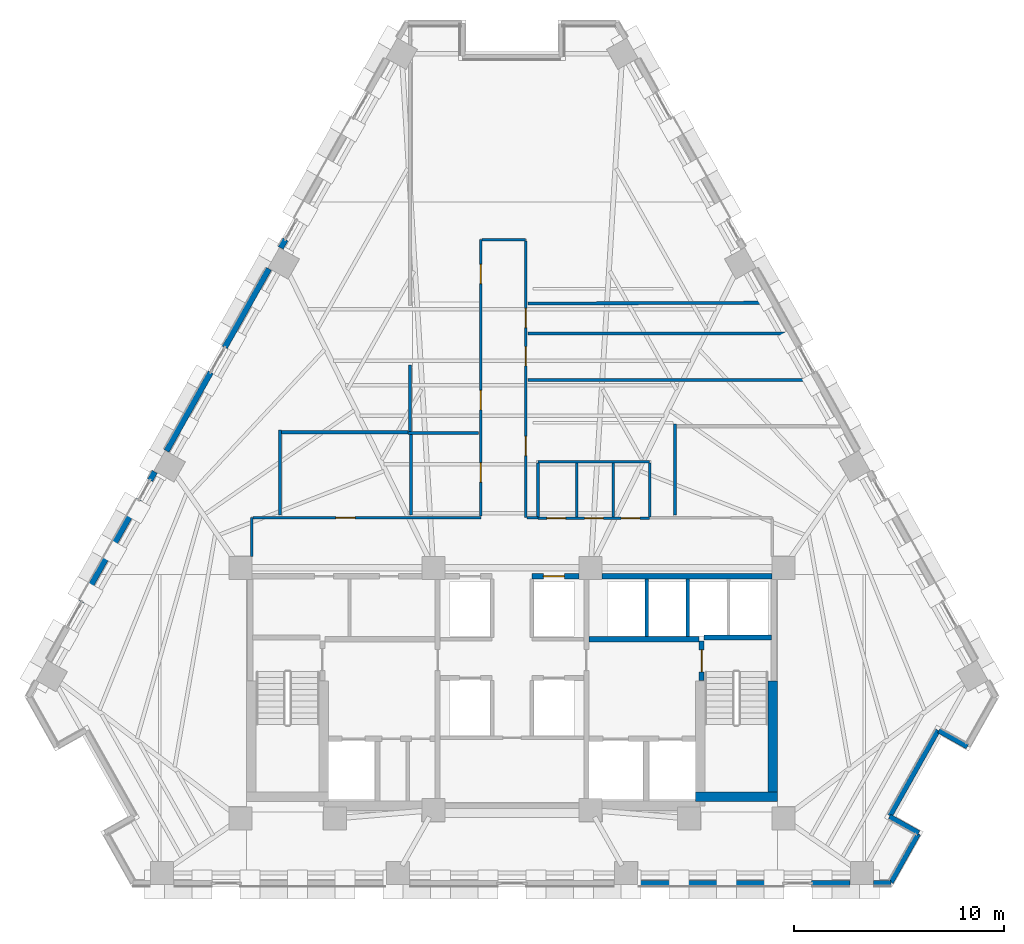
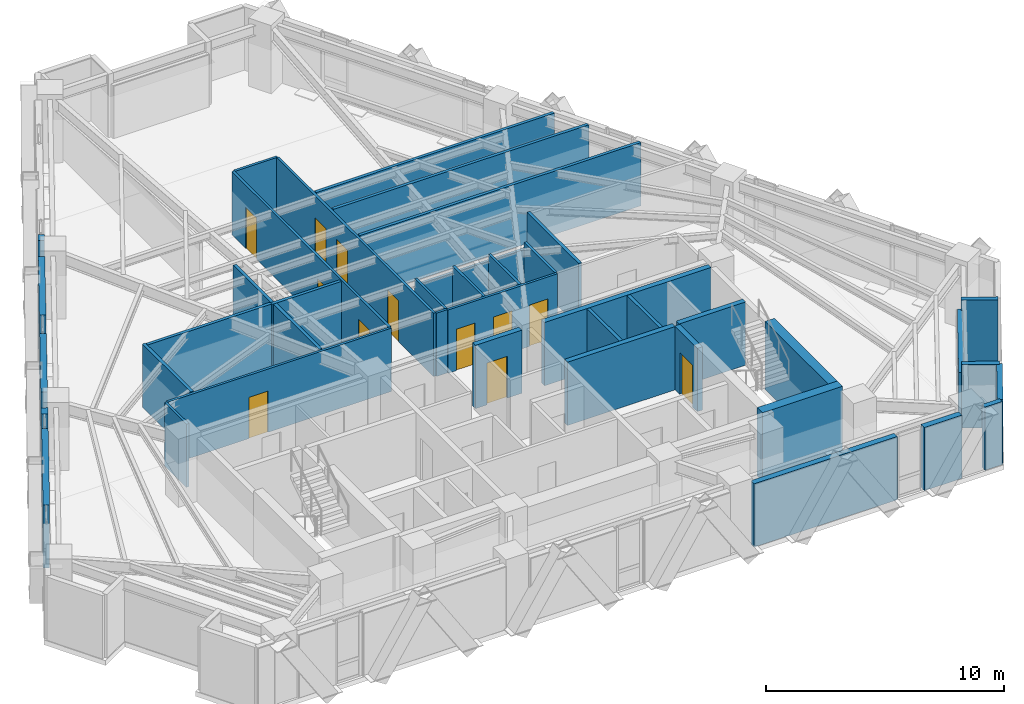
# One storey, part 8 of 13: 42 walls, 12 doors, 12 openings.
"""IFC4 building model written with IfcOpenShell, lengths in metres."""

from ifc_helpers import new_model, si_unit, direction, frame, frame_2d, origin, place, context, subcontext, project, spatial, rectangle, extrude, material, layer, layer_set, type_object, element, fill, save


model = new_model("IFC4")

# Units and contexts
model_context = context("Model", 3, precision=1e-05, world=origin(), true_north=direction((0.0, 1.0)))
body_context = subcontext(model_context, "Body", "Model", "MODEL_VIEW")
ifc_project = project(units=[si_unit("LENGTHUNIT", "METRE"), si_unit("AREAUNIT", "SQUARE_METRE"), si_unit("VOLUMEUNIT", "CUBIC_METRE"), si_unit("PLANEANGLEUNIT", "RADIAN"), si_unit("MASSUNIT", "GRAM", prefix="KILO")], contexts=[model_context])

# Site, building, storey
site_placement = place(None, origin())
site = spatial("IfcSite", under=ifc_project, at=site_placement, CompositionType="ELEMENT")
building_placement = place(site_placement, origin())
building = spatial("IfcBuilding", under=site, at=building_placement, Name="Quenlor Broadcast Tower", CompositionType="ELEMENT")
storey_placement = place(building_placement, frame((0.0, 0.0, 116.0)))
storey = spatial("IfcBuildingStorey", under=building, at=storey_placement, Name="L31", CompositionType="ELEMENT", Elevation=116.0)

# Walls
ifc_material_1 = material(Name="Acoustic Double Stud Gypsum Partition", Category="other")
ifc_layer_1 = layer(ifc_material_1, 0.14990234375)
ifc_layer_set_1 = layer_set([ifc_layer_1], Name="Broadcast Studio Acoustic Partition 150")
wall_type_1 = type_object("IfcWallType", Name="Broadcast Studio Acoustic Partition 150", PredefinedType="PARTITIONING", material=ifc_layer_set_1)
wall_1_placement = place(storey_placement, frame((12.341064453125, 7.844482421875, 0.0), z_axis=(0.0, 0.0, 1.0), x_axis=(-0.999994240273, -0.003394027167, 0.0)))
element("IfcWall", 1, at=wall_1_placement, inside=storey, type_object=wall_type_1, Name="L31 Interior Wall PW-DV-01", PredefinedType="PARTITIONING", context=body_context, shape_type="SweptSolid", body=[
    extrude(rectangle(XDim=11.5810546875, YDim=0.14990234375, at=frame_2d((5.79052734375, 0.0))), origin(), (0.0, 0.0, 1.0), 3.25),
])
wall_2_placement = place(storey_placement, frame((13.16455078125, 6.38037109375, 0.0), z_axis=(0.0, 0.0, 1.0), x_axis=(-1.0, 0.0, 0.0)))
element("IfcWall", 2, at=wall_2_placement, inside=storey, type_object=wall_type_1, Name="L31 Interior Wall PW-DV-03", PredefinedType="PARTITIONING", context=body_context, shape_type="SweptSolid", body=[
    extrude(rectangle(XDim=12.404541015625, YDim=0.14990234375, at=frame_2d((6.2021484375, 0.0))), origin(), (0.0, 0.0, 1.0), 3.25),
])
wall_3_placement = place(storey_placement, frame((14.416259765625, 4.155029296875, 0.0), z_axis=(0.0, 0.0, 1.0), x_axis=(-1.0, 0.0, 0.0)))
element("IfcWall", 3, at=wall_3_placement, inside=storey, type_object=wall_type_1, Name="L31 Interior Wall PW-DV-04", PredefinedType="PARTITIONING", context=body_context, shape_type="SweptSolid", body=[
    extrude(rectangle(XDim=13.65625, YDim=0.14990234375, at=frame_2d((6.828125, 0.0))), origin(), (0.0, 0.0, 1.0), 3.25),
])
wall_4_placement = place(storey_placement, frame((-1.60009765625, 1.6298828125, 0.0), z_axis=(0.0, 0.0, 1.0), x_axis=(-1.0, 0.0, 0.0)))
element("IfcWall", 4, at=wall_4_placement, inside=storey, type_object=wall_type_1, Name="L31 Interior Wall PW-DV-05", PredefinedType="PARTITIONING", context=body_context, shape_type="SweptSolid", body=[
    extrude(rectangle(XDim=3.35986328125, YDim=0.14990234375, at=frame_2d((1.679931640625, 0.0))), origin(), (0.0, 0.0, 1.0), 3.25),
])
wall_5_placement = place(storey_placement, frame((-4.860107421875, 1.70703125, 0.0), z_axis=(0.0, 0.0, 1.0), x_axis=(0.0, 1.0, 0.0)))
element("IfcWall", 5, at=wall_5_placement, inside=storey, type_object=wall_type_1, Name="L31 Interior Wall PW-DV-06", PredefinedType="PARTITIONING", context=body_context, shape_type="SweptSolid", body=[
    extrude(rectangle(XDim=3.1630859375, YDim=0.14990234375, at=frame_2d((1.58154296875, 0.0))), origin(), (0.0, 0.0, 1.0), 3.25),
])
wall_6_placement = place(storey_placement, frame((7.780029296875, 2.0537109375, 0.0), z_axis=(0.0, 0.0, 1.0), x_axis=(0.0, -1.0, 0.0)))
element("IfcWall", 6, at=wall_6_placement, inside=storey, type_object=wall_type_1, Name="L31 Interior Wall PW-DV-07", PredefinedType="PARTITIONING", context=body_context, shape_type="SweptSolid", body=[
    extrude(rectangle(XDim=4.34375, YDim=0.14990234375, at=frame_2d((2.171875, 0.0))), origin(), (0.0, 0.0, 1.0), 3.25),
])
wall_7_placement = place(storey_placement, frame((-4.820068359375, 1.552978515625, 0.0), z_axis=(0.0, 0.0, 1.0), x_axis=(0.0, -1.0, 0.0)))
element("IfcWall", 7, at=wall_7_placement, inside=storey, type_object=wall_type_1, Name="L31 Interior Wall PW-DV-09", PredefinedType="PARTITIONING", context=body_context, shape_type="SweptSolid", body=[
    extrude(rectangle(XDim=3.843017578125, YDim=0.14990234375, at=frame_2d((1.92138671875, 0.0))), origin(), (0.0, 0.0, 1.0), 3.25),
])
wall_8_placement = place(storey_placement, frame((-11.06005859375, -2.2900390625, 0.0), z_axis=(0.0, 0.0, 1.0), x_axis=(0.0, 1.0, 0.0)))
element("IfcWall", 8, at=wall_8_placement, inside=storey, type_object=wall_type_1, Name="L31 Interior Wall PW-DV-10", PredefinedType="PARTITIONING", context=body_context, shape_type="SweptSolid", body=[
    extrude(rectangle(XDim=4.06005859375, YDim=0.14990234375, at=frame_2d((2.030029296875, 0.0))), origin(), (0.0, 0.0, 1.0), 3.25),
])
wall_9_placement = place(storey_placement, frame((-10.98291015625, 1.669921875, 0.0), z_axis=(0.0, 0.0, 1.0), x_axis=(1.0, 0.0, 0.0)))
element("IfcWall", 9, at=wall_9_placement, inside=storey, type_object=wall_type_1, Name="L31 Interior Wall PW-DV-11", PredefinedType="PARTITIONING", context=body_context, shape_type="SweptSolid", body=[
    extrude(rectangle(XDim=6.02099609375, YDim=0.14990234375, at=frame_2d((3.010498046875, 0.0))), origin(), (0.0, 0.0, 1.0), 3.25),
])
ifc_material_2 = material(Name="Concrete C50/60", Category="concrete")
ifc_layer_2 = layer(ifc_material_2, 0.449951171875)
ifc_layer_set_2 = layer_set([ifc_layer_2], Name="Core Concrete C50/60 Shear Wall 450")
wall_type_2 = type_object("IfcWallType", Name="Core Concrete C50/60 Shear Wall 450", PredefinedType="SHEAR", material=ifc_layer_set_2)
wall_10_placement = place(storey_placement, frame((8.75, -15.72509765625, 0.0), z_axis=(0.0, 0.0, 1.0), x_axis=(1.0, 0.0, 0.0)))
element("IfcWall", 10, at=wall_10_placement, inside=storey, type_object=wall_type_2, Name="L31 Core Shear Wall WS-E2", PredefinedType="SHEAR", context=body_context, shape_type="SweptSolid", body=[
    extrude(rectangle(XDim=3.89990234375, YDim=0.449951171875, at=frame_2d((1.949951171875, 0.0))), origin(), (0.0, 0.0, 1.0), 3.5),
])
wall_11_placement = place(storey_placement, frame((12.425048828125, -15.72509765625, 0.0), z_axis=(0.0, 0.0, 1.0), x_axis=(0.0, 1.0, 0.0)))
element("IfcWall", 11, at=wall_11_placement, inside=storey, type_object=wall_type_2, Name="L31 Core Shear Wall WF-E", PredefinedType="SHEAR", context=body_context, shape_type="SweptSolid", body=[
    extrude(rectangle(XDim=5.525146484375, YDim=0.449951171875, at=frame_2d((2.7626953125, 0.0))), origin(), (0.0, 0.0, 1.0), 3.5),
])

# Wall, opening, door
ifc_material_3 = material(Name="Concrete C40/50", Category="concrete")
ifc_layer_3 = layer(ifc_material_3, 0.25)
ifc_layer_set_3 = layer_set([ifc_layer_3], Name="Fire Rated Concrete C40/50 Core Wall 250")
wall_type_3 = type_object("IfcWallType", Name="Fire Rated Concrete C40/50 Core Wall 250", PredefinedType="PARTITIONING", material=ifc_layer_set_3)
wall_12_placement = place(storey_placement, frame((9.0400390625, -10.179931640625, 0.0), z_axis=(0.0, 0.0, 1.0), x_axis=(0.0, 1.0, 0.0)))
wall_12 = element("IfcWall", 12, at=wall_12_placement, inside=storey, type_object=wall_type_3, Name="L31 Interior Wall CW-ST2-DR", PredefinedType="PARTITIONING", context=body_context, shape_type="SweptSolid", body=[
    extrude(rectangle(XDim=1.89990234375, YDim=0.25, at=frame_2d((0.949951171875, 0.0))), origin(), (0.0, 0.0, 1.0), 3.25),
])
opening_1_placement = place(wall_12_placement, frame((0.419921875, 0.0, 0.0)))
opening_1 = element("IfcOpeningElement", 13, at=opening_1_placement, cuts=wall_12, Name="Opening FD-1", PredefinedType="OPENING", context=body_context, shape_type="SweptSolid", body=[
    extrude(rectangle(XDim=1.050048828125, YDim=2.14990234375, at=frame_2d((0.52490234375, 1.074951171875))), frame((0.0, 0.135009765625, 0.0), z_axis=(0.0, -1.0, 0.0), x_axis=(1.0, 0.0, 0.0)), (0.0, 0.0, 1.0), 0.27001953125),
])
ifc_material_4 = material(Name="Fire Rated Steel Door Leaf", Category="steel")
door_type_1 = type_object("IfcDoorType", Name="Fire Isolated Stair Door 1050x2150", OperationType="NOTDEFINED", PredefinedType="DOOR", material=ifc_material_4)
door_1_placement = place(opening_1_placement, origin())
door_1 = element("IfcDoor", 14, at=door_1_placement, inside=storey, type_object=door_type_1, Name="L31 Door DR-ST2", OperationType="SINGLE_SWING_RIGHT", OverallHeight=2.14990234375, OverallWidth=1.050048828125, PredefinedType="DOOR", context=body_context, shape_type="SweptSolid", body=[
    extrude(rectangle(XDim=1.050048828125, YDim=2.14990234375, at=frame_2d((0.52490234375, 1.074951171875))), frame((0.0, 0.02490234375, 0.0), z_axis=(0.0, -1.0, 0.0), x_axis=(1.0, 0.0, 0.0)), (0.0, 0.0, 1.0), 0.050048828125),
])
fill(opening_1, door_1)

# Walls
wall_13_placement = place(storey_placement, frame((9.159912109375, -8.1201171875, 0.0), z_axis=(0.0, 0.0, 1.0), x_axis=(1.0, 0.0, 0.0)))
element("IfcWall", 15, at=wall_13_placement, inside=storey, type_object=wall_type_3, Name="L31 Interior Wall CW-ST2-N", PredefinedType="PARTITIONING", context=body_context, shape_type="SweptSolid", body=[
    extrude(rectangle(XDim=3.219970703125, YDim=0.25, at=frame_2d((1.60986328125, 0.0))), origin(), (0.0, 0.0, 1.0), 3.25),
])
wall_14_placement = place(storey_placement, frame((3.679931640625, -8.199951171875, 0.0), z_axis=(0.0, 0.0, 1.0), x_axis=(1.0, 0.0, 0.0)))
element("IfcWall", 16, at=wall_14_placement, inside=storey, type_object=wall_type_3, Name="L31 Interior Wall CW-FFE-N", PredefinedType="PARTITIONING", context=body_context, shape_type="SweptSolid", body=[
    extrude(rectangle(XDim=5.239990234375, YDim=0.25, at=frame_2d((2.6201171875, 0.0))), origin(), (0.0, 0.0, 1.0), 3.25),
])
wall_15_placement = place(storey_placement, frame((4.302001953125, -5.199951171875, 0.0), z_axis=(0.0, 0.0, 1.0), x_axis=(1.0, 0.0, 0.0)))
element("IfcWall", 17, at=wall_15_placement, inside=storey, type_object=wall_type_3, Name="L31 Interior Wall CW-N-E", PredefinedType="PARTITIONING", context=body_context, shape_type="SweptSolid", body=[
    extrude(rectangle(XDim=8.095947265625, YDim=0.25, at=frame_2d((4.0478515625, 0.0))), origin(), (0.0, 0.0, 1.0), 3.25),
])

# Wall, opening, door
wall_16_placement = place(storey_placement, frame((0.949951171875, -5.199951171875, 0.0), z_axis=(0.0, 0.0, 1.0), x_axis=(1.0, 0.0, 0.0)))
wall_16 = element("IfcWall", 18, at=wall_16_placement, inside=storey, type_object=wall_type_3, Name="L31 Interior Wall CW-N-M2", PredefinedType="PARTITIONING", context=body_context, shape_type="SweptSolid", body=[
    extrude(rectangle(XDim=2.248046875, YDim=0.25, at=frame_2d((1.1240234375, 0.0))), origin(), (0.0, 0.0, 1.0), 3.25),
])
opening_2_placement = place(wall_16_placement, frame((0.550048828125, 0.0, 0.0)))
opening_2 = element("IfcOpeningElement", 19, at=opening_2_placement, cuts=wall_16, Name="Opening LD-PL-M2", PredefinedType="OPENING", context=body_context, shape_type="SweptSolid", body=[
    extrude(rectangle(XDim=1.0, YDim=2.14990234375, at=frame_2d((0.5, 1.074951171875))), frame((0.0, 0.135009765625, 0.0), z_axis=(0.0, -1.0, 0.0), x_axis=(1.0, 0.0, 0.0)), (0.0, 0.0, 1.0), 0.27001953125),
])
ifc_material_5 = material(Name="Brushed Stainless Steel", Category="steel")
door_type_2 = type_object("IfcDoorType", Name="Passenger Lift Sliding Landing Door 1000x2150", OperationType="NOTDEFINED", PredefinedType="DOOR", material=ifc_material_5)
door_2_placement = place(opening_2_placement, origin())
door_2 = element("IfcDoor", 20, at=door_2_placement, inside=storey, type_object=door_type_2, Name="L31 Door LD-PL-M2", OperationType="SLIDING_TO_RIGHT", OverallHeight=2.14990234375, OverallWidth=1.0, PredefinedType="DOOR", context=body_context, shape_type="SweptSolid", body=[
    extrude(rectangle(XDim=1.0, YDim=2.14990234375, at=frame_2d((0.5, 1.074951171875))), frame((0.0, 0.02490234375, 0.0), z_axis=(0.0, -1.0, 0.0), x_axis=(1.0, 0.0, 0.0)), (0.0, 0.0, 1.0), 0.050048828125),
])
fill(opening_2, door_2)

# Walls
ifc_material_6 = material(Name="Gypsum Fireboard Partition", Category="other")
ifc_layer_4 = layer(ifc_material_6, 0.159912109375)
ifc_layer_set_4 = layer_set([ifc_layer_4], Name="Fire Rated Shaft and Corridor Partition 160")
wall_type_4 = type_object("IfcWallType", Name="Fire Rated Shaft and Corridor Partition 160", PredefinedType="PARTITIONING", material=ifc_layer_set_4)
for number, where, z_axis, x_axis, name in (
    (21, (6.425048828125, -8.072998046875, 0.0), (0.0, 0.0, 1.0), (0.0, 1.0, 0.0), "L31 Interior Wall CW-PLH-D1"),
    (22, (8.375, -8.072998046875, 0.0), (0.0, 0.0, 1.0), (0.0, 1.0, 0.0), "L31 Interior Wall CW-PLH-D2"),
):
    element("IfcWall", number, at=place(storey_placement, frame(where, z_axis=z_axis, x_axis=x_axis)), inside=storey, type_object=wall_type_4, Name=name, PredefinedType="PARTITIONING", context=body_context, shape_type="SweptSolid", body=[
        extrude(rectangle(XDim=2.73291015625, YDim=0.159912109375, at=frame_2d((1.366455078125, 0.0))), origin(), (0.0, 0.0, 1.0), 3.25),
    ])

# Wall, openings, doors
ifc_material_7 = material(Name="Gypsum Plasterboard Partition", Category="other")
ifc_layer_5 = layer(ifc_material_7, 0.1201171875)
ifc_layer_set_5 = layer_set([ifc_layer_5], Name="Standard Office Partition 120")
wall_type_5 = type_object("IfcWallType", Name="Standard Office Partition 120", PredefinedType="PARTITIONING", material=ifc_layer_set_5)
wall_17_placement = place(storey_placement, frame((1.239990234375, -2.43994140625, 0.0), z_axis=(0.0, 0.0, 1.0), x_axis=(1.0, 0.0, 0.0)))
wall_17 = element("IfcWall", 23, at=wall_17_placement, inside=storey, type_object=wall_type_5, Name="L31 Interior Wall PW-WC-S", PredefinedType="PARTITIONING", context=body_context, shape_type="SweptSolid", body=[
    extrude(rectangle(XDim=5.320068359375, YDim=0.1201171875, at=frame_2d((2.66015625, 0.0))), origin(), (0.0, 0.0, 1.0), 3.25),
])
opening_3_placement = place(wall_17_placement, frame((0.419921875, 0.0, 0.0)))
opening_3 = element("IfcOpeningElement", 24, at=opening_3_placement, cuts=wall_17, Name="Opening ID-3", PredefinedType="OPENING", context=body_context, shape_type="SweptSolid", body=[
    extrude(rectangle(XDim=0.89990234375, YDim=2.1201171875, at=frame_2d((0.449951171875, 1.06005859375))), frame((0.0, 0.070068359375, 0.0), z_axis=(0.0, -1.0, 0.0), x_axis=(1.0, 0.0, 0.0)), (0.0, 0.0, 1.0), 0.14013671875),
])
opening_4_placement = place(wall_17_placement, frame((2.219970703125, 0.0, 0.0)))
opening_4 = element("IfcOpeningElement", 25, at=opening_4_placement, cuts=wall_17, Name="Opening ID-3", PredefinedType="OPENING", context=body_context, shape_type="SweptSolid", body=[
    extrude(rectangle(XDim=0.89990234375, YDim=2.1201171875, at=frame_2d((0.449951171875, 1.06005859375))), frame((0.0, 0.070068359375, 0.0), z_axis=(0.0, -1.0, 0.0), x_axis=(1.0, 0.0, 0.0)), (0.0, 0.0, 1.0), 0.14013671875),
])
opening_5_placement = place(wall_17_placement, frame((3.9599609375, 0.0, 0.0)))
opening_5 = element("IfcOpeningElement", 26, at=opening_5_placement, cuts=wall_17, Name="Opening ID-3", PredefinedType="OPENING", context=body_context, shape_type="SweptSolid", body=[
    extrude(rectangle(XDim=0.89990234375, YDim=2.1201171875, at=frame_2d((0.449951171875, 1.06005859375))), frame((0.0, 0.070068359375, 0.0), z_axis=(0.0, -1.0, 0.0), x_axis=(1.0, 0.0, 0.0)), (0.0, 0.0, 1.0), 0.14013671875),
])
ifc_material_8 = material(Name="Moisture Resistant Timber Oak", Category="wood")
door_type_3 = type_object("IfcDoorType", Name="Washroom Privacy Door 900x2120", OperationType="NOTDEFINED", PredefinedType="DOOR", material=ifc_material_8)
door_3_placement = place(opening_3_placement, origin())
door_3 = element("IfcDoor", 27, at=door_3_placement, inside=storey, type_object=door_type_3, Name="L31 Door DR-AWC", OperationType="SINGLE_SWING_LEFT", OverallHeight=2.1201171875, OverallWidth=0.89990234375, PredefinedType="DOOR", context=body_context, shape_type="SweptSolid", body=[
    extrude(rectangle(XDim=0.89990234375, YDim=2.1201171875, at=frame_2d((0.449951171875, 1.06005859375))), frame((0.0, 0.02490234375, 0.0), z_axis=(0.0, -1.0, 0.0), x_axis=(1.0, 0.0, 0.0)), (0.0, 0.0, 1.0), 0.050048828125),
])
fill(opening_3, door_3)
door_4_placement = place(opening_4_placement, origin())
door_4 = element("IfcDoor", 28, at=door_4_placement, inside=storey, type_object=door_type_3, Name="L31 Door DR-MWC", OperationType="SINGLE_SWING_LEFT", OverallHeight=2.1201171875, OverallWidth=0.89990234375, PredefinedType="DOOR", context=body_context, shape_type="SweptSolid", body=[
    extrude(rectangle(XDim=0.89990234375, YDim=2.1201171875, at=frame_2d((0.449951171875, 1.06005859375))), frame((0.0, 0.02490234375, 0.0), z_axis=(0.0, -1.0, 0.0), x_axis=(1.0, 0.0, 0.0)), (0.0, 0.0, 1.0), 0.050048828125),
])
fill(opening_4, door_4)
door_5_placement = place(opening_5_placement, origin())
door_5 = element("IfcDoor", 29, at=door_5_placement, inside=storey, type_object=door_type_3, Name="L31 Door DR-FWC", OperationType="SINGLE_SWING_RIGHT", OverallHeight=2.1201171875, OverallWidth=0.89990234375, PredefinedType="DOOR", context=body_context, shape_type="SweptSolid", body=[
    extrude(rectangle(XDim=0.89990234375, YDim=2.1201171875, at=frame_2d((0.449951171875, 1.06005859375))), frame((0.0, 0.02490234375, 0.0), z_axis=(0.0, -1.0, 0.0), x_axis=(1.0, 0.0, 0.0)), (0.0, 0.0, 1.0), 0.050048828125),
])
fill(opening_5, door_5)

# Walls
wall_18_placement = place(storey_placement, frame((1.239990234375, 0.260009765625, 0.0), z_axis=(0.0, 0.0, 1.0), x_axis=(1.0, 0.0, 0.0)))
element("IfcWall", 30, at=wall_18_placement, inside=storey, type_object=wall_type_5, Name="L31 Interior Wall PW-WC-N", PredefinedType="PARTITIONING", context=body_context, shape_type="SweptSolid", body=[
    extrude(rectangle(XDim=5.320068359375, YDim=0.1201171875, at=frame_2d((2.66015625, 0.0))), origin(), (0.0, 0.0, 1.0), 2.891357421875),
])
for number, where, z_axis, x_axis, name in (
    (31, (1.239990234375, -2.3779296875, 0.0), (0.0, 0.0, 1.0), (0.0, 1.0, 0.0), "L31 Interior Wall PW-WC-W"),
    (32, (3.080078125, -2.3779296875, 0.0), (0.0, 0.0, 1.0), (0.0, 1.0, 0.0), "L31 Interior Wall PW-WC-M1"),
    (33, (4.820068359375, -2.3779296875, 0.0), (0.0, 0.0, 1.0), (0.0, 1.0, 0.0), "L31 Interior Wall PW-WC-M2"),
    (34, (6.56005859375, -2.3779296875, 0.0), (0.0, 0.0, 1.0), (0.0, 1.0, 0.0), "L31 Interior Wall PW-WC-E"),
):
    element("IfcWall", number, at=place(storey_placement, frame(where, z_axis=z_axis, x_axis=x_axis)), inside=storey, type_object=wall_type_5, Name=name, PredefinedType="PARTITIONING", context=body_context, shape_type="SweptSolid", body=[
        extrude(rectangle(XDim=2.575927734375, YDim=0.1201171875, at=frame_2d((1.2880859375, 0.0))), origin(), (0.0, 0.0, 1.0), 3.25),
    ])
wall_19_placement = place(storey_placement, frame((-12.409912109375, -4.248046875, 0.0), z_axis=(0.0, 0.0, 1.0), x_axis=(0.0, 1.0, 0.0)))
element("IfcWall", 35, at=wall_19_placement, inside=storey, type_object=wall_type_5, Name="L31 Interior Wall PW-CR-01", PredefinedType="PARTITIONING", context=body_context, shape_type="SweptSolid", body=[
    extrude(rectangle(XDim=1.84814453125, YDim=0.1201171875, at=frame_2d((0.924072265625, 0.0))), origin(), (0.0, 0.0, 1.0), 3.25),
])

# Wall, opening, door
wall_20_placement = place(storey_placement, frame((-12.347900390625, -2.39990234375, 0.0), z_axis=(0.0, 0.0, 1.0), x_axis=(1.0, 0.0, 0.0)))
wall_20 = element("IfcWall", 36, at=wall_20_placement, inside=storey, type_object=wall_type_5, Name="L31 Interior Wall PW-CR-02", PredefinedType="PARTITIONING", context=body_context, shape_type="SweptSolid", body=[
    extrude(rectangle(XDim=10.85791015625, YDim=0.1201171875, at=frame_2d((5.428955078125, 0.0))), origin(), (0.0, 0.0, 1.0), 3.25),
])
opening_6_placement = place(wall_20_placement, frame((3.947998046875, 0.0, 0.0)))
opening_6 = element("IfcOpeningElement", 37, at=opening_6_placement, cuts=wall_20, Name="Opening ID-1", PredefinedType="OPENING", context=body_context, shape_type="SweptSolid", body=[
    extrude(rectangle(XDim=0.919921875, YDim=2.1201171875, at=frame_2d((0.4599609375, 1.06005859375))), frame((0.0, 0.070068359375, 0.0), z_axis=(0.0, -1.0, 0.0), x_axis=(1.0, 0.0, 0.0)), (0.0, 0.0, 1.0), 0.14013671875),
])
ifc_material_9 = material(Name="Solid Core Timber Oak", Category="wood")
door_type_4 = type_object("IfcDoorType", Name="Single Leaf Timber Office Door 920x2120", OperationType="NOTDEFINED", PredefinedType="DOOR", material=ifc_material_9)
door_6_placement = place(opening_6_placement, origin())
door_6 = element("IfcDoor", 38, at=door_6_placement, inside=storey, type_object=door_type_4, Name="L31 Door DR-RM06", OperationType="SINGLE_SWING_LEFT", OverallHeight=2.1201171875, OverallWidth=0.919921875, PredefinedType="DOOR", context=body_context, shape_type="SweptSolid", body=[
    extrude(rectangle(XDim=0.919921875, YDim=2.1201171875, at=frame_2d((0.4599609375, 1.06005859375))), frame((0.0, 0.02490234375, 0.0), z_axis=(0.0, -1.0, 0.0), x_axis=(1.0, 0.0, 0.0)), (0.0, 0.0, 1.0), 0.050048828125),
])
fill(opening_6, door_6)

# Wall, openings, doors
wall_21_placement = place(storey_placement, frame((-1.489990234375, -2.337890625, 0.0), z_axis=(0.0, 0.0, 1.0), x_axis=(0.0, 1.0, 0.0)))
wall_21 = element("IfcWall", 39, at=wall_21_placement, inside=storey, type_object=wall_type_5, Name="L31 Interior Wall PW-CR-03", PredefinedType="PARTITIONING", context=body_context, shape_type="SweptSolid", body=[
    extrude(rectangle(XDim=13.18798828125, YDim=0.1201171875, at=frame_2d((6.593994140625, 0.0))), origin(), (0.0, 0.0, 1.0), 3.25),
])
opening_7_placement = place(wall_21_placement, frame((11.095947265625, 0.0, 0.0)))
opening_7 = element("IfcOpeningElement", 40, at=opening_7_placement, cuts=wall_21, Name="Opening ID-1", PredefinedType="OPENING", context=body_context, shape_type="SweptSolid", body=[
    extrude(rectangle(XDim=0.919921875, YDim=2.1201171875, at=frame_2d((0.4599609375, 1.06005859375))), frame((0.0, 0.070068359375, 0.0), z_axis=(0.0, -1.0, 0.0), x_axis=(1.0, 0.0, 0.0)), (0.0, 0.0, 1.0), 0.14013671875),
])
opening_8_placement = place(wall_21_placement, frame((5.077880859375, 0.0, 0.0)))
opening_8 = element("IfcOpeningElement", 41, at=opening_8_placement, cuts=wall_21, Name="Opening ID-1", PredefinedType="OPENING", context=body_context, shape_type="SweptSolid", body=[
    extrude(rectangle(XDim=0.919921875, YDim=2.1201171875, at=frame_2d((0.4599609375, 1.06005859375))), frame((0.0, 0.070068359375, 0.0), z_axis=(0.0, -1.0, 0.0), x_axis=(1.0, 0.0, 0.0)), (0.0, 0.0, 1.0), 0.14013671875),
])
opening_9_placement = place(wall_21_placement, frame((1.6220703125, 0.0, 0.0)))
opening_9 = element("IfcOpeningElement", 42, at=opening_9_placement, cuts=wall_21, Name="Opening ID-1", PredefinedType="OPENING", context=body_context, shape_type="SweptSolid", body=[
    extrude(rectangle(XDim=0.919921875, YDim=2.1201171875, at=frame_2d((0.4599609375, 1.06005859375))), frame((0.0, 0.070068359375, 0.0), z_axis=(0.0, -1.0, 0.0), x_axis=(1.0, 0.0, 0.0)), (0.0, 0.0, 1.0), 0.14013671875),
])
door_7_placement = place(opening_7_placement, origin())
door_7 = element("IfcDoor", 43, at=door_7_placement, inside=storey, type_object=door_type_4, Name="L31 Door DR-RM01", OperationType="SINGLE_SWING_RIGHT", OverallHeight=2.1201171875, OverallWidth=0.919921875, PredefinedType="DOOR", context=body_context, shape_type="SweptSolid", body=[
    extrude(rectangle(XDim=0.919921875, YDim=2.1201171875, at=frame_2d((0.4599609375, 1.06005859375))), frame((0.0, 0.02490234375, 0.0), z_axis=(0.0, -1.0, 0.0), x_axis=(1.0, 0.0, 0.0)), (0.0, 0.0, 1.0), 0.050048828125),
])
fill(opening_7, door_7)
door_8_placement = place(opening_8_placement, origin())
door_8 = element("IfcDoor", 44, at=door_8_placement, inside=storey, type_object=door_type_4, Name="L31 Door DR-RM04", OperationType="SINGLE_SWING_LEFT", OverallHeight=2.1201171875, OverallWidth=0.919921875, PredefinedType="DOOR", context=body_context, shape_type="SweptSolid", body=[
    extrude(rectangle(XDim=0.919921875, YDim=2.1201171875, at=frame_2d((0.4599609375, 1.06005859375))), frame((0.0, 0.02490234375, 0.0), z_axis=(0.0, -1.0, 0.0), x_axis=(1.0, 0.0, 0.0)), (0.0, 0.0, 1.0), 0.050048828125),
])
fill(opening_8, door_8)
door_9_placement = place(opening_9_placement, origin())
door_9 = element("IfcDoor", 45, at=door_9_placement, inside=storey, type_object=door_type_4, Name="L31 Door DR-RM07", OperationType="SINGLE_SWING_RIGHT", OverallHeight=2.1201171875, OverallWidth=0.919921875, PredefinedType="DOOR", context=body_context, shape_type="SweptSolid", body=[
    extrude(rectangle(XDim=0.919921875, YDim=2.1201171875, at=frame_2d((0.4599609375, 1.06005859375))), frame((0.0, 0.02490234375, 0.0), z_axis=(0.0, -1.0, 0.0), x_axis=(1.0, 0.0, 0.0)), (0.0, 0.0, 1.0), 0.050048828125),
])
fill(opening_9, door_9)

# Wall
wall_22_placement = place(storey_placement, frame((-1.427978515625, 10.85009765625, 0.0), z_axis=(0.0, 0.0, 1.0), x_axis=(1.0, 0.0, 0.0)))
element("IfcWall", 46, at=wall_22_placement, inside=storey, type_object=wall_type_5, Name="L31 Interior Wall PW-CR-04", PredefinedType="PARTITIONING", context=body_context, shape_type="SweptSolid", body=[
    extrude(rectangle(XDim=2.077880859375, YDim=0.1201171875, at=frame_2d((1.0390625, 0.0))), origin(), (0.0, 0.0, 1.0), 3.25),
])

# Wall, openings, doors
wall_23_placement = place(storey_placement, frame((0.64990234375, 10.7880859375, 0.0), z_axis=(0.0, 0.0, 1.0), x_axis=(0.0, -1.0, 0.0)))
wall_23 = element("IfcWall", 47, at=wall_23_placement, inside=storey, type_object=wall_type_5, Name="L31 Interior Wall PW-CR-05", PredefinedType="PARTITIONING", context=body_context, shape_type="SweptSolid", body=[
    extrude(rectangle(XDim=13.18798828125, YDim=0.1201171875, at=frame_2d((6.593994140625, 0.0))), origin(), (0.0, 0.0, 1.0), 3.25),
])
opening_10_placement = place(wall_23_placement, frame((3.216064453125, 0.0, 0.0)))
opening_10 = element("IfcOpeningElement", 48, at=opening_10_placement, cuts=wall_23, Name="Opening ID-1", PredefinedType="OPENING", context=body_context, shape_type="SweptSolid", body=[
    extrude(rectangle(XDim=0.919921875, YDim=2.1201171875, at=frame_2d((0.4599609375, 1.06005859375))), frame((0.0, 0.070068359375, 0.0), z_axis=(0.0, -1.0, 0.0), x_axis=(1.0, 0.0, 0.0)), (0.0, 0.0, 1.0), 0.14013671875),
])
opening_11_placement = place(wall_23_placement, frame((5.0400390625, 0.0, 0.0)))
opening_11 = element("IfcOpeningElement", 49, at=opening_11_placement, cuts=wall_23, Name="Opening ID-1", PredefinedType="OPENING", context=body_context, shape_type="SweptSolid", body=[
    extrude(rectangle(XDim=0.919921875, YDim=2.1201171875, at=frame_2d((0.4599609375, 1.06005859375))), frame((0.0, 0.070068359375, 0.0), z_axis=(0.0, -1.0, 0.0), x_axis=(1.0, 0.0, 0.0)), (0.0, 0.0, 1.0), 0.14013671875),
])
opening_12_placement = place(wall_23_placement, frame((9.321044921875, 0.0, 0.0)))
opening_12 = element("IfcOpeningElement", 50, at=opening_12_placement, cuts=wall_23, Name="Opening ID-1", PredefinedType="OPENING", context=body_context, shape_type="SweptSolid", body=[
    extrude(rectangle(XDim=0.919921875, YDim=2.1201171875, at=frame_2d((0.4599609375, 1.06005859375))), frame((0.0, 0.070068359375, 0.0), z_axis=(0.0, -1.0, 0.0), x_axis=(1.0, 0.0, 0.0)), (0.0, 0.0, 1.0), 0.14013671875),
])
door_10_placement = place(opening_10_placement, origin())
door_10 = element("IfcDoor", 51, at=door_10_placement, inside=storey, type_object=door_type_4, Name="L31 Door DR-RM02", OperationType="SINGLE_SWING_LEFT", OverallHeight=2.1201171875, OverallWidth=0.919921875, PredefinedType="DOOR", context=body_context, shape_type="SweptSolid", body=[
    extrude(rectangle(XDim=0.919921875, YDim=2.1201171875, at=frame_2d((0.4599609375, 1.06005859375))), frame((0.0, 0.02490234375, 0.0), z_axis=(0.0, -1.0, 0.0), x_axis=(1.0, 0.0, 0.0)), (0.0, 0.0, 1.0), 0.050048828125),
])
fill(opening_10, door_10)
door_11_placement = place(opening_11_placement, origin())
door_11 = element("IfcDoor", 52, at=door_11_placement, inside=storey, type_object=door_type_4, Name="L31 Door DR-RM03", OperationType="SINGLE_SWING_RIGHT", OverallHeight=2.1201171875, OverallWidth=0.919921875, PredefinedType="DOOR", context=body_context, shape_type="SweptSolid", body=[
    extrude(rectangle(XDim=0.919921875, YDim=2.1201171875, at=frame_2d((0.4599609375, 1.06005859375))), frame((0.0, 0.02490234375, 0.0), z_axis=(0.0, -1.0, 0.0), x_axis=(1.0, 0.0, 0.0)), (0.0, 0.0, 1.0), 0.050048828125),
])
fill(opening_11, door_11)
door_12_placement = place(opening_12_placement, origin())
door_12 = element("IfcDoor", 53, at=door_12_placement, inside=storey, type_object=door_type_4, Name="L31 Door DR-RM05", OperationType="SINGLE_SWING_RIGHT", OverallHeight=2.1201171875, OverallWidth=0.919921875, PredefinedType="DOOR", context=body_context, shape_type="SweptSolid", body=[
    extrude(rectangle(XDim=0.919921875, YDim=2.1201171875, at=frame_2d((0.4599609375, 1.06005859375))), frame((0.0, 0.02490234375, 0.0), z_axis=(0.0, -1.0, 0.0), x_axis=(1.0, 0.0, 0.0)), (0.0, 0.0, 1.0), 0.050048828125),
])
fill(opening_12, door_12)

# Walls
wall_24_placement = place(storey_placement, frame((0.7119140625, -2.39990234375, 0.0), z_axis=(0.0, 0.0, 1.0), x_axis=(1.0, 0.0, 0.0)))
element("IfcWall", 54, at=wall_24_placement, inside=storey, type_object=wall_type_5, Name="L31 Interior Wall PW-CR-06", PredefinedType="PARTITIONING", context=body_context, shape_type="SweptSolid", body=[
    extrude(rectangle(XDim=0.526123046875, YDim=0.1201171875, at=frame_2d((0.26318359375, 0.0))), origin(), (0.0, 0.0, 1.0), 3.25),
])
ifc_material_10 = material(Name="Precast concrete C40/50", Category="concrete")
ifc_layer_6 = layer(ifc_material_10, 0.239990234375)
ifc_layer_set_6 = layer_set([ifc_layer_6], Name="Terrace Threshold Precast Concrete C40/50 Wall 240")
wall_type_6 = type_object("IfcWallType", Name="Terrace Threshold Precast Concrete C40/50 Wall 240", PredefinedType="STANDARD", material=ifc_layer_set_6)
wall_25_placement = place(storey_placement, frame((18.083984375, -19.840087890625, 0.0), z_axis=(0.0, 0.0, 1.0), x_axis=(-1.0, 0.0, 0.0)))
element("IfcWall", 55, at=wall_25_placement, inside=storey, type_object=wall_type_6, Name="L31 Exterior Wall L31-SHD-SS0", PredefinedType="STANDARD", context=body_context, shape_type="SweptSolid", body=[
    extrude(rectangle(XDim=0.83642578125, YDim=0.239990234375, at=frame_2d((0.418212890625, 0.0))), origin(), (0.0, 0.0, 1.0), 3.25),
])
wall_26_placement = place(storey_placement, frame((19.39892578125, -17.4423828125, 0.0), z_axis=(0.0, 0.0, 1.0), x_axis=(-0.871575537125, 0.490261239633, 0.0)))
element("IfcWall", 56, at=wall_26_placement, inside=storey, type_object=wall_type_6, Name="L31 Exterior Wall L31-CNR-01", PredefinedType="STANDARD", context=body_context, shape_type="SweptSolid", body=[
    extrude(rectangle(XDim=1.60009765625, YDim=0.239990234375, at=frame_2d((0.800048828125, 0.0))), origin(), (0.0, 0.0, 1.0), 3.25),
])
wall_27_placement = place(storey_placement, frame((18.024169921875, -16.623046875, 0.0), z_axis=(0.0, 0.0, 1.0), x_axis=(0.490273623647, 0.871568571001, 0.0)))
element("IfcWall", 57, at=wall_27_placement, inside=storey, type_object=wall_type_6, Name="L31 Exterior Wall L31-CNR-02", PredefinedType="STANDARD", context=body_context, shape_type="SweptSolid", body=[
    extrude(rectangle(XDim=4.679931640625, YDim=0.239990234375, at=frame_2d((2.33984375, 0.0))), origin(), (0.0, 0.0, 1.0), 2.7216796875),
])
wall_28_placement = place(storey_placement, frame((20.353515625, -12.563720703125, 0.0), z_axis=(0.0, 0.0, 1.0), x_axis=(0.871546278971, -0.490313250496, 0.0)))
element("IfcWall", 58, at=wall_28_placement, inside=storey, type_object=wall_type_6, Name="L31 Exterior Wall L31-CNR-03", PredefinedType="STANDARD", context=body_context, shape_type="SweptSolid", body=[
    extrude(rectangle(XDim=1.56005859375, YDim=0.239990234375, at=frame_2d((0.780029296875, 0.0))), origin(), (0.0, 0.0, 1.0), 3.25),
])
wall_29_placement = place(storey_placement, frame((18.074951171875, -19.79638671875, 0.0), z_axis=(0.0, 0.0, 1.0), x_axis=(0.490248170584, 0.871582888335, 0.0)))
element("IfcWall", 59, at=wall_29_placement, inside=storey, type_object=wall_type_6, Name="L31 Exterior Wall L31-CNR-18", PredefinedType="STANDARD", context=body_context, shape_type="SweptSolid", body=[
    extrude(rectangle(XDim=2.660888671875, YDim=0.239990234375, at=frame_2d((1.33056640625, 0.0))), origin(), (0.0, 0.0, 1.0), 3.25),
])
ifc_material_11 = material(Name="Precast concrete C40/50", Category="concrete")
ifc_layer_7 = layer(ifc_material_11, 0.280029296875)
ifc_layer_set_7 = layer_set([ifc_layer_7], Name="Terracotta Precast Concrete C40/50 Facade Wall 280")
wall_type_7 = type_object("IfcWallType", Name="Terracotta Precast Concrete C40/50 Facade Wall 280", PredefinedType="STANDARD", material=ifc_layer_set_7)
wall_30_placement = place(storey_placement, frame((16.117431640625, -19.840087890625, 0.0), z_axis=(0.0, 0.0, 1.0), x_axis=(-1.0, 0.0, 0.0)))
element("IfcWall", 60, at=wall_30_placement, inside=storey, type_object=wall_type_7, Name="L31 Exterior Wall L31-SA-SP1", PredefinedType="STANDARD", context=body_context, shape_type="SweptSolid", body=[
    extrude(rectangle(XDim=1.82568359375, YDim=0.280029296875, at=frame_2d((0.912841796875, 0.0))), origin(), (0.0, 0.0, 1.0), 3.25),
])
wall_31_placement = place(storey_placement, frame((12.978759765625, -19.840087890625, 0.0), z_axis=(0.0, 0.0, 1.0), x_axis=(-1.0, 0.0, 0.0)))
element("IfcWall", 61, at=wall_31_placement, inside=storey, type_object=wall_type_7, Name="L31 Exterior Wall L31-SA-SP2", PredefinedType="STANDARD", context=body_context, shape_type="SweptSolid", body=[
    extrude(rectangle(XDim=6.96044921875, YDim=0.280029296875, at=frame_2d((3.480224609375, 0.0))), origin(), (0.0, 0.0, 1.0), 3.25),
])
wall_32_placement = place(storey_placement, frame((-20.527099609375, -6.419189453125, 0.0), z_axis=(0.0, 0.0, 1.0), x_axis=(0.490265381388, 0.871573207374, 0.0)))
element("IfcWall", 62, at=wall_32_placement, inside=storey, type_object=wall_type_7, Name="L31 Exterior Wall L31-NWA-SP2", PredefinedType="STANDARD", context=body_context, shape_type="SweptSolid", body=[
    extrude(rectangle(XDim=5.59716796875, YDim=0.280029296875, at=frame_2d((2.798583984375, 0.0))), origin(), (0.0, 0.0, 1.0), 3.25),
])
for number, where, z_axis, x_axis, name in (
    (63, (-17.264404296875, -0.618896484375, 0.0), (0.0, 0.0, 1.0), (0.490009165718, 0.871717280724, 0.0), "L31 Exterior Wall L31-NWA-SP3"),
    (64, (-11.031982421875, 10.461181640625, 0.0), (0.0, 0.0, 1.0), (0.490412424957, 0.871490478116, 0.0), "L31 Exterior Wall L31-NWC-SP1"),
):
    element("IfcWall", number, at=place(storey_placement, frame(where, z_axis=z_axis, x_axis=x_axis)), inside=storey, type_object=wall_type_7, Name=name, PredefinedType="STANDARD", context=body_context, shape_type="SweptSolid", body=[
        extrude(rectangle(XDim=0.4599609375, YDim=0.280029296875, at=frame_2d((0.22998046875, 0.0))), origin(), (0.0, 0.0, 1.0), 3.25),
    ])
for number, where, z_axis, x_axis, name in (
    (65, (-16.477783203125, 0.780029296875, 0.0), (0.0, 0.0, 1.0), (0.490293592365, 0.871557337922, 0.0), "L31 Exterior Wall L31-NW-SP1"),
    (66, (-13.701171875, 5.716064453125, 0.0), (0.0, 0.0, 1.0), (0.490293592365, 0.871557337922, 0.0), "L31 Exterior Wall L31-NW-SP2"),
):
    element("IfcWall", number, at=place(storey_placement, frame(where, z_axis=z_axis, x_axis=x_axis)), inside=storey, type_object=wall_type_7, Name=name, PredefinedType="STANDARD", context=body_context, shape_type="SweptSolid", body=[
        extrude(rectangle(XDim=4.29931640625, YDim=0.280029296875, at=frame_2d((2.149658203125, 0.0))), origin(), (0.0, 0.0, 1.0), 3.25),
    ])

save(model, "model.ifc")
